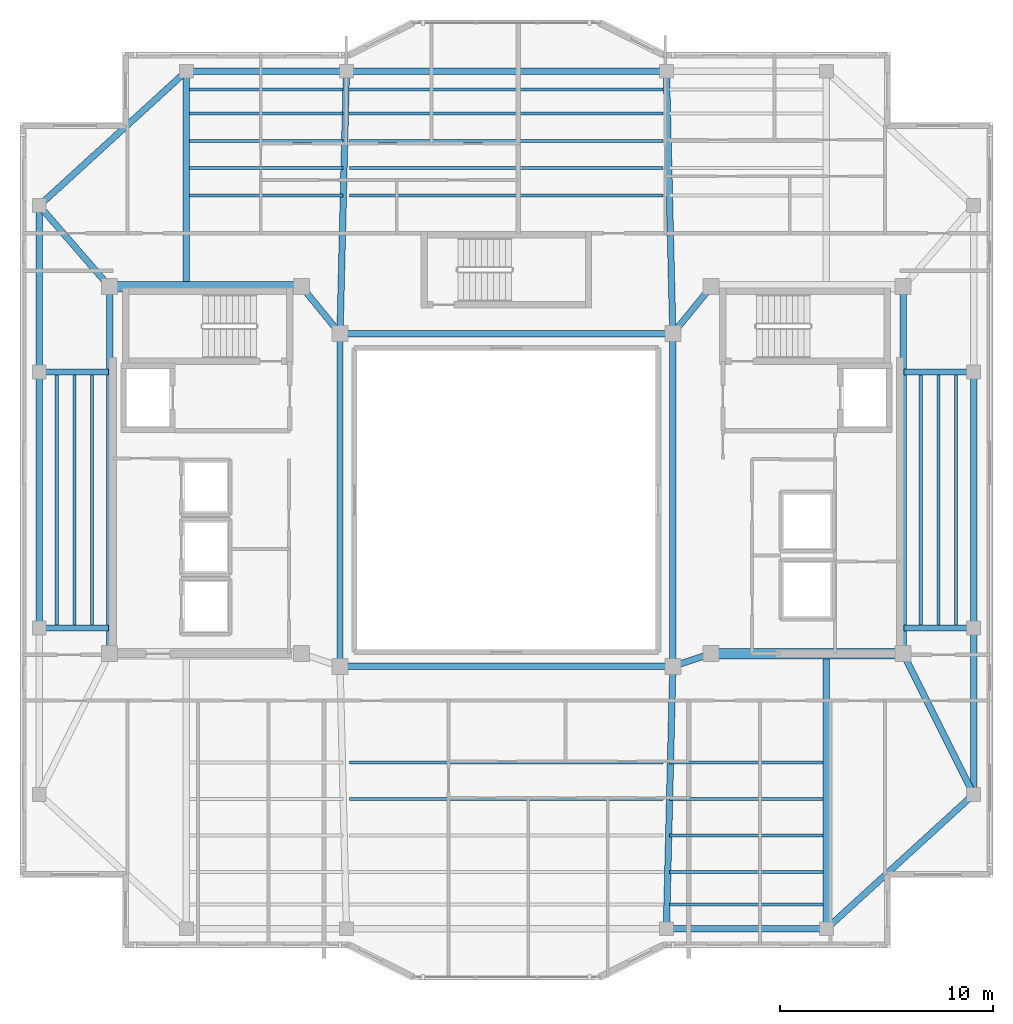
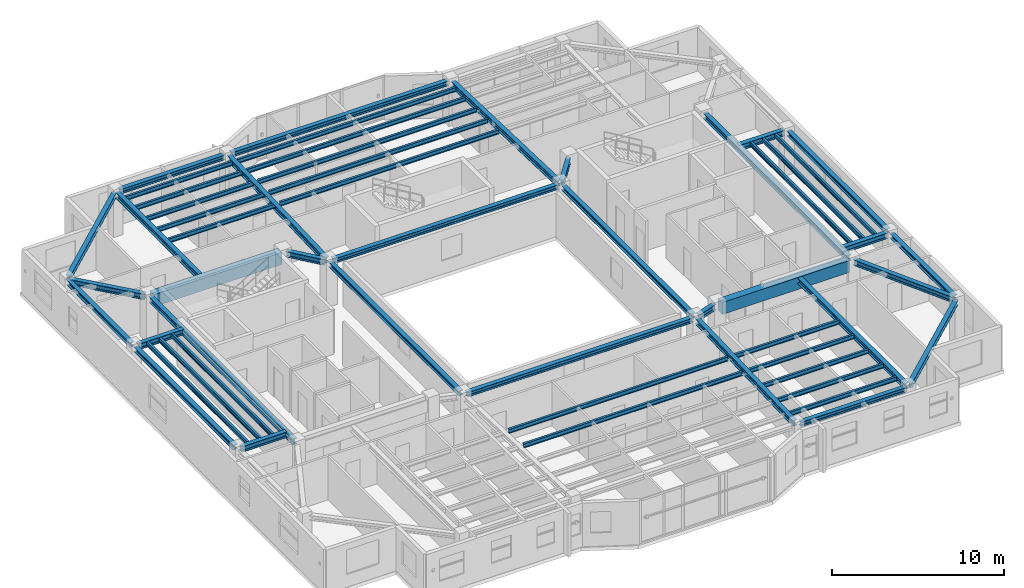
# One storey, part 3 of 13: 54 beams.
"""IFC4 building model written with IfcOpenShell, lengths in metres."""

from ifc_helpers import new_model, si_unit, direction, frame, origin, origin_2d, place, context, subcontext, project, spatial, rectangle, i_section, extrude, material, material_profile, profile_set, type_object, element, save


model = new_model("IFC4")

# Units and contexts
model_context = context("Model", 3, precision=1e-05, world=origin(), true_north=direction((0.0, 1.0)))
body_context = subcontext(model_context, "Body", "Model", "MODEL_VIEW")
ifc_project = project(units=[si_unit("LENGTHUNIT", "METRE"), si_unit("AREAUNIT", "SQUARE_METRE"), si_unit("VOLUMEUNIT", "CUBIC_METRE"), si_unit("PLANEANGLEUNIT", "RADIAN"), si_unit("MASSUNIT", "GRAM", prefix="KILO")], contexts=[model_context])

# Site, building, storey
site_placement = place(None, origin())
site = spatial("IfcSite", under=ifc_project, at=site_placement, CompositionType="ELEMENT")
building_placement = place(site_placement, origin())
building = spatial("IfcBuilding", under=site, at=building_placement, Name="Tarnavaz Court Tower", CompositionType="ELEMENT")
storey_placement = place(building_placement, frame((0.0, 0.0, 248.199951171875)))
storey = spatial("IfcBuildingStorey", under=building, at=storey_placement, Name="L67", CompositionType="ELEMENT", Elevation=248.199951171875)

# Beams
ifc_material_1 = material(Name="Concrete C50/60", Category="concrete")
ifc_material_profile_1 = material_profile(ifc_material_1, rectangle(XDim=0.5, YDim=0.85009765625, at=origin_2d()), Name="RC 500X850")
ifc_profile_set_1 = profile_set([ifc_material_profile_1], Name="Concrete C50/60")
beam_type_1 = type_object("IfcBeamType", Name="BM-CB850", PredefinedType="LINTEL", material=ifc_profile_set_1)
for number, where, z_axis, x_axis, name in (
    (1, (-18.3798828125, 10.0, 2.675048828125), (1.0, 0.0, 0.0), (0.0, 1.0, 0.0), "L67 Beam IN-CW-NO-CW-NI"),
    (2, (18.3798828125, -7.199951171875, 2.675048828125), (-1.0, 0.0, 0.0), (0.0, -1.0, 0.0), "L67 Beam IN-CE-SO-CE-SI"),
):
    element("IfcBeam", number, at=place(storey_placement, frame(where, z_axis=z_axis, x_axis=x_axis)), inside=storey, type_object=beam_type_1, Name=name, PredefinedType="LINTEL", context=body_context, shape_type="SweptSolid", body=[
        extrude(rectangle(XDim=0.5, YDim=0.85009765625, at=origin_2d()), origin(), (0.0, 0.0, 1.0), 8.559814453125),
    ])
ifc_material_2 = material(Name="Steel S355", Category="steel")
ifc_material_profile_2 = material_profile(ifc_material_2, i_section(OverallWidth=0.300048828125, OverallDepth=0.39990234375, WebThickness=0.013427734375, FlangeThickness=0.02392578125, FilletRadius=0.027099609375, at=origin_2d()), Name="HEB 400")
ifc_profile_set_2 = profile_set([ifc_material_profile_2], Name="Steel S355")
beam_type_2 = type_object("IfcBeamType", Name="BM-G-HEB400", PredefinedType="USERDEFINED", material=ifc_profile_set_2)
beam_1_placement = place(storey_placement, frame((9.391357421875, -7.26953125, 2.900146484375), z_axis=(-0.948666544706, -0.316278021615, 0.0), x_axis=(0.316278021615, -0.948666544706, 0.0)))
element("IfcBeam", 3, at=beam_1_placement, inside=storey, type_object=beam_type_2, Name="L67 Beam IN-CE-SI-IW-SE", ObjectType="GIRDER", PredefinedType="USERDEFINED", context=body_context, shape_type="SweptSolid", body=[
    extrude(i_section(OverallWidth=0.300048828125, OverallDepth=0.39990234375, WebThickness=0.013427734375, FlangeThickness=0.02392578125, FilletRadius=0.027099609375, at=origin_2d()), origin(), (0.0, 0.0, 1.0), 1.457275390625),
])
for number, where, z_axis, x_axis, name in (
    (4, (-9.460693359375, 9.82958984375, 2.900146484375), (0.633282058357, -0.773921077735, 0.0), (0.773921077735, 0.633282058357, 0.0), "L67 Beam IN-CW-NI-IW-NW"),
    (5, (9.460693359375, 9.82958984375, 2.900146484375), (-0.633282058357, -0.773921077735, 0.0), (0.773921077735, -0.633282058357, 0.0), "L67 Beam IN-CE-NI-IW-NE"),
):
    element("IfcBeam", number, at=place(storey_placement, frame(where, z_axis=z_axis, x_axis=x_axis)), inside=storey, type_object=beam_type_2, Name=name, ObjectType="GIRDER", PredefinedType="USERDEFINED", context=body_context, shape_type="SweptSolid", body=[
        extrude(i_section(OverallWidth=0.300048828125, OverallDepth=0.39990234375, WebThickness=0.013427734375, FlangeThickness=0.02392578125, FilletRadius=0.027099609375, at=origin_2d()), origin(), (0.0, 0.0, 1.0), 2.402587890625),
    ])
for number, where, z_axis, x_axis, name in (
    (6, (-18.60009765625, -6.97998046875, 2.900146484375), (0.0, 1.0, 0.0), (-1.0, 0.0, 0.0), "L67 Beam IN-CW-SO-CW-NO"),
    (7, (18.60009765625, -6.97998046875, 2.900146484375), (0.0, 1.0, 0.0), (-1.0, 0.0, 0.0), "L67 Beam IN-CE-SO-CE-NO"),
):
    element("IfcBeam", number, at=place(storey_placement, frame(where, z_axis=z_axis, x_axis=x_axis)), inside=storey, type_object=beam_type_2, Name=name, ObjectType="GIRDER", PredefinedType="USERDEFINED", context=body_context, shape_type="SweptSolid", body=[
        extrude(i_section(OverallWidth=0.300048828125, OverallDepth=0.39990234375, WebThickness=0.013427734375, FlangeThickness=0.02392578125, FilletRadius=0.027099609375, at=origin_2d()), origin(), (0.0, 0.0, 1.0), 16.760009765625),
    ])
beam_2_placement = place(storey_placement, frame((-15.0, 10.0400390625, 2.900146484375), z_axis=(0.0, 1.0, 0.0), x_axis=(-1.0, 0.0, 0.0)))
element("IfcBeam", 8, at=beam_2_placement, inside=storey, type_object=beam_type_2, Name="L67 Beam RG-01", ObjectType="GIRDER", PredefinedType="USERDEFINED", context=body_context, shape_type="SweptSolid", body=[
    extrude(i_section(OverallWidth=0.300048828125, OverallDepth=0.39990234375, WebThickness=0.013427734375, FlangeThickness=0.02392578125, FilletRadius=0.027099609375, at=origin_2d()), origin(), (0.0, 0.0, 1.0), 9.83984375),
])
for number, where, z_axis, x_axis, name in (
    (9, (-7.794677734375, 8.02001953125, 2.900146484375), (0.024386002211, 0.99970261723, 0.0), (-0.99970261723, 0.024386002211, 0.0), "L67 Beam RG-02"),
    (10, (7.794677734375, 8.02001953125, 2.900146484375), (-0.024386002211, 0.99970261723, 0.0), (-0.99970261723, -0.024386002211, 0.0), "L67 Beam RG-03"),
    (11, (7.794677734375, -8.02001953125, 2.900146484375), (-0.024386002211, -0.99970261723, 0.0), (0.99970261723, -0.024386002211, 0.0), "L67 Beam RG-07"),
):
    element("IfcBeam", number, at=place(storey_placement, frame(where, z_axis=z_axis, x_axis=x_axis)), inside=storey, type_object=beam_type_2, Name=name, ObjectType="GIRDER", PredefinedType="USERDEFINED", context=body_context, shape_type="SweptSolid", body=[
        extrude(i_section(OverallWidth=0.300048828125, OverallDepth=0.39990234375, WebThickness=0.013427734375, FlangeThickness=0.02392578125, FilletRadius=0.027099609375, at=origin_2d()), origin(), (0.0, 0.0, 1.0), 11.863525390625),
    ])
beam_3_placement = place(storey_placement, frame((15.0, -7.239990234375, 2.900146484375), z_axis=(0.0, -1.0, 0.0), x_axis=(1.0, 0.0, 0.0)))
element("IfcBeam", 12, at=beam_3_placement, inside=storey, type_object=beam_type_2, Name="L67 Beam RG-08", ObjectType="GIRDER", PredefinedType="USERDEFINED", context=body_context, shape_type="SweptSolid", body=[
    extrude(i_section(OverallWidth=0.300048828125, OverallDepth=0.39990234375, WebThickness=0.013427734375, FlangeThickness=0.02392578125, FilletRadius=0.027099609375, at=origin_2d()), origin(), (0.0, 0.0, 1.0), 12.639892578125),
])
for number, where, z_axis, x_axis, name in (
    (13, (18.639892578125, -6.0, 2.900146484375), (1.0, 0.0, 0.0), (0.0, 1.0, 0.0), "L67 Beam RG-09"),
    (14, (18.639892578125, 6.0, 2.900146484375), (1.0, 0.0, 0.0), (0.0, 1.0, 0.0), "L67 Beam RG-10"),
):
    element("IfcBeam", number, at=place(storey_placement, frame(where, z_axis=z_axis, x_axis=x_axis)), inside=storey, type_object=beam_type_2, Name=name, ObjectType="GIRDER", PredefinedType="USERDEFINED", context=body_context, shape_type="SweptSolid", body=[
        extrude(i_section(OverallWidth=0.300048828125, OverallDepth=0.39990234375, WebThickness=0.013427734375, FlangeThickness=0.02392578125, FilletRadius=0.027099609375, at=origin_2d()), origin(), (0.0, 0.0, 1.0), 3.0400390625),
    ])
beam_4_placement = place(storey_placement, frame((18.698486328125, -7.396728515625, 2.900146484375), z_axis=(0.447185448279, -0.894441264057, 0.0), x_axis=(0.894441264057, 0.447185448279, 0.0)))
element("IfcBeam", 15, at=beam_4_placement, inside=storey, type_object=beam_type_2, Name="L67 Beam RG-11", ObjectType="GIRDER", PredefinedType="USERDEFINED", context=body_context, shape_type="SweptSolid", body=[
    extrude(i_section(OverallWidth=0.300048828125, OverallDepth=0.39990234375, WebThickness=0.013427734375, FlangeThickness=0.02392578125, FilletRadius=0.027099609375, at=origin_2d()), origin(), (0.0, 0.0, 1.0), 6.93896484375),
])
for number, where, z_axis, x_axis, name in (
    (16, (-18.639892578125, -6.0, 2.900146484375), (-1.0, 0.0, 0.0), (0.0, -1.0, 0.0), "L67 Beam RG-13"),
    (17, (-18.639892578125, 6.0, 2.900146484375), (-1.0, 0.0, 0.0), (0.0, -1.0, 0.0), "L67 Beam RG-14"),
):
    element("IfcBeam", number, at=place(storey_placement, frame(where, z_axis=z_axis, x_axis=x_axis)), inside=storey, type_object=beam_type_2, Name=name, ObjectType="GIRDER", PredefinedType="USERDEFINED", context=body_context, shape_type="SweptSolid", body=[
        extrude(i_section(OverallWidth=0.300048828125, OverallDepth=0.39990234375, WebThickness=0.013427734375, FlangeThickness=0.02392578125, FilletRadius=0.027099609375, at=origin_2d()), origin(), (0.0, 0.0, 1.0), 3.0400390625),
    ])
beam_5_placement = place(storey_placement, frame((-18.744384765625, 10.166015625, 2.900146484375), z_axis=(-0.65565475567, 0.755060819648, 0.0), x_axis=(-0.755060819648, -0.65565475567, 0.0)))
element("IfcBeam", 18, at=beam_5_placement, inside=storey, type_object=beam_type_2, Name="L67 Beam RG-16", ObjectType="GIRDER", PredefinedType="USERDEFINED", context=body_context, shape_type="SweptSolid", body=[
    extrude(i_section(OverallWidth=0.300048828125, OverallDepth=0.39990234375, WebThickness=0.013427734375, FlangeThickness=0.02392578125, FilletRadius=0.027099609375, at=origin_2d()), origin(), (0.0, 0.0, 1.0), 4.5927734375),
])
ifc_material_profile_3 = material_profile(ifc_material_2, i_section(OverallWidth=0.14990234375, OverallDepth=0.300048828125, WebThickness=0.007080078125, FlangeThickness=0.0107421875, FilletRadius=0.014892578125, at=origin_2d()), Name="IPE 300")
ifc_profile_set_3 = profile_set([ifc_material_profile_3], Name="Steel S355")
beam_type_3 = type_object("IfcBeamType", Name="BM-J-IPE300", PredefinedType="JOIST", material=ifc_profile_set_3)
beam_6_placement = place(storey_placement, frame((-14.85009765625, 14.278076171875, 2.949951171875), z_axis=(1.0, 0.0, 0.0), x_axis=(0.0, 1.0, 0.0)))
element("IfcBeam", 19, at=beam_6_placement, inside=storey, type_object=beam_type_3, Name="L67 Beam JN1-1", PredefinedType="JOIST", context=body_context, shape_type="SweptSolid", body=[
    extrude(i_section(OverallWidth=0.14990234375, OverallDepth=0.300048828125, WebThickness=0.007080078125, FlangeThickness=0.0107421875, FilletRadius=0.014892578125, at=origin_2d()), origin(), (0.0, 0.0, 1.0), 7.2001953125),
])
for number, where, z_axis, x_axis, name in (
    (20, (-7.35009765625, 14.278076171875, 2.949951171875), (1.0, 0.0, 0.0), (0.0, 1.0, 0.0), "L67 Beam JN1-2"),
    (21, (-7.35009765625, -12.31005859375, 2.949951171875), (1.0, 0.0, 0.0), (0.0, 1.0, 0.0), "L67 Beam JS1-2"),
):
    element("IfcBeam", number, at=place(storey_placement, frame(where, z_axis=z_axis, x_axis=x_axis)), inside=storey, type_object=beam_type_3, Name=name, PredefinedType="JOIST", context=body_context, shape_type="SweptSolid", body=[
        extrude(i_section(OverallWidth=0.14990234375, OverallDepth=0.300048828125, WebThickness=0.007080078125, FlangeThickness=0.0107421875, FilletRadius=0.014892578125, at=origin_2d()), origin(), (0.0, 0.0, 1.0), 14.7001953125),
    ])
for number, where, z_axis, x_axis, name in (
    (22, (7.64990234375, -12.31005859375, 2.949951171875), (1.0, 0.0, 0.0), (0.0, 1.0, 0.0), "L67 Beam JS1-3"),
    (23, (-14.85009765625, 15.555908203125, 2.949951171875), (1.0, 0.0, 0.0), (0.0, 1.0, 0.0), "L67 Beam JN2-1"),
):
    element("IfcBeam", number, at=place(storey_placement, frame(where, z_axis=z_axis, x_axis=x_axis)), inside=storey, type_object=beam_type_3, Name=name, PredefinedType="JOIST", context=body_context, shape_type="SweptSolid", body=[
        extrude(i_section(OverallWidth=0.14990234375, OverallDepth=0.300048828125, WebThickness=0.007080078125, FlangeThickness=0.0107421875, FilletRadius=0.014892578125, at=origin_2d()), origin(), (0.0, 0.0, 1.0), 7.2001953125),
    ])
for number, where, z_axis, x_axis, name in (
    (24, (-7.35009765625, 15.555908203125, 2.949951171875), (1.0, 0.0, 0.0), (0.0, 1.0, 0.0), "L67 Beam JN2-2"),
    (25, (-7.35009765625, -14.02001953125, 2.949951171875), (1.0, 0.0, 0.0), (0.0, 1.0, 0.0), "L67 Beam JS2-2"),
):
    element("IfcBeam", number, at=place(storey_placement, frame(where, z_axis=z_axis, x_axis=x_axis)), inside=storey, type_object=beam_type_3, Name=name, PredefinedType="JOIST", context=body_context, shape_type="SweptSolid", body=[
        extrude(i_section(OverallWidth=0.14990234375, OverallDepth=0.300048828125, WebThickness=0.007080078125, FlangeThickness=0.0107421875, FilletRadius=0.014892578125, at=origin_2d()), origin(), (0.0, 0.0, 1.0), 14.7001953125),
    ])
for number, where, z_axis, x_axis, name in (
    (26, (7.64990234375, -14.02001953125, 2.949951171875), (1.0, 0.0, 0.0), (0.0, 1.0, 0.0), "L67 Beam JS2-3"),
    (27, (-14.85009765625, 16.833984375, 2.949951171875), (1.0, 0.0, 0.0), (0.0, 1.0, 0.0), "L67 Beam JN3-1"),
):
    element("IfcBeam", number, at=place(storey_placement, frame(where, z_axis=z_axis, x_axis=x_axis)), inside=storey, type_object=beam_type_3, Name=name, PredefinedType="JOIST", context=body_context, shape_type="SweptSolid", body=[
        extrude(i_section(OverallWidth=0.14990234375, OverallDepth=0.300048828125, WebThickness=0.007080078125, FlangeThickness=0.0107421875, FilletRadius=0.014892578125, at=origin_2d()), origin(), (0.0, 0.0, 1.0), 7.2001953125),
    ])
beam_7_placement = place(storey_placement, frame((-7.35009765625, 16.833984375, 2.949951171875), z_axis=(1.0, 0.0, 0.0), x_axis=(0.0, 1.0, 0.0)))
element("IfcBeam", 28, at=beam_7_placement, inside=storey, type_object=beam_type_3, Name="L67 Beam JN3-2", PredefinedType="JOIST", context=body_context, shape_type="SweptSolid", body=[
    extrude(i_section(OverallWidth=0.14990234375, OverallDepth=0.300048828125, WebThickness=0.007080078125, FlangeThickness=0.0107421875, FilletRadius=0.014892578125, at=origin_2d()), origin(), (0.0, 0.0, 1.0), 14.7001953125),
])
for number, where, z_axis, x_axis, name in (
    (29, (7.64990234375, -15.72998046875, 2.949951171875), (1.0, 0.0, 0.0), (0.0, 1.0, 0.0), "L67 Beam JS3-3"),
    (30, (-14.85009765625, 18.112060546875, 2.949951171875), (1.0, 0.0, 0.0), (0.0, 1.0, 0.0), "L67 Beam JN4-1"),
):
    element("IfcBeam", number, at=place(storey_placement, frame(where, z_axis=z_axis, x_axis=x_axis)), inside=storey, type_object=beam_type_3, Name=name, PredefinedType="JOIST", context=body_context, shape_type="SweptSolid", body=[
        extrude(i_section(OverallWidth=0.14990234375, OverallDepth=0.300048828125, WebThickness=0.007080078125, FlangeThickness=0.0107421875, FilletRadius=0.014892578125, at=origin_2d()), origin(), (0.0, 0.0, 1.0), 7.2001953125),
    ])
beam_8_placement = place(storey_placement, frame((-7.35009765625, 18.112060546875, 2.949951171875), z_axis=(1.0, 0.0, 0.0), x_axis=(0.0, 1.0, 0.0)))
element("IfcBeam", 31, at=beam_8_placement, inside=storey, type_object=beam_type_3, Name="L67 Beam JN4-2", PredefinedType="JOIST", context=body_context, shape_type="SweptSolid", body=[
    extrude(i_section(OverallWidth=0.14990234375, OverallDepth=0.300048828125, WebThickness=0.007080078125, FlangeThickness=0.0107421875, FilletRadius=0.014892578125, at=origin_2d()), origin(), (0.0, 0.0, 1.0), 14.7001953125),
])
for number, where, z_axis, x_axis, name in (
    (32, (7.64990234375, -17.43994140625, 2.949951171875), (1.0, 0.0, 0.0), (0.0, 1.0, 0.0), "L67 Beam JS4-3"),
    (33, (-14.85009765625, 19.248046875, 2.949951171875), (1.0, 0.0, 0.0), (0.0, 1.0, 0.0), "L67 Beam JN5-1"),
):
    element("IfcBeam", number, at=place(storey_placement, frame(where, z_axis=z_axis, x_axis=x_axis)), inside=storey, type_object=beam_type_3, Name=name, PredefinedType="JOIST", context=body_context, shape_type="SweptSolid", body=[
        extrude(i_section(OverallWidth=0.14990234375, OverallDepth=0.300048828125, WebThickness=0.007080078125, FlangeThickness=0.0107421875, FilletRadius=0.014892578125, at=origin_2d()), origin(), (0.0, 0.0, 1.0), 7.2001953125),
    ])
beam_9_placement = place(storey_placement, frame((-7.35009765625, 19.248046875, 2.949951171875), z_axis=(1.0, 0.0, 0.0), x_axis=(0.0, 1.0, 0.0)))
element("IfcBeam", 34, at=beam_9_placement, inside=storey, type_object=beam_type_3, Name="L67 Beam JN5-2", PredefinedType="JOIST", context=body_context, shape_type="SweptSolid", body=[
    extrude(i_section(OverallWidth=0.14990234375, OverallDepth=0.300048828125, WebThickness=0.007080078125, FlangeThickness=0.0107421875, FilletRadius=0.014892578125, at=origin_2d()), origin(), (0.0, 0.0, 1.0), 14.7001953125),
])
beam_10_placement = place(storey_placement, frame((7.64990234375, -18.9599609375, 2.949951171875), z_axis=(1.0, 0.0, 0.0), x_axis=(0.0, 1.0, 0.0)))
element("IfcBeam", 35, at=beam_10_placement, inside=storey, type_object=beam_type_3, Name="L67 Beam JS5-3", PredefinedType="JOIST", context=body_context, shape_type="SweptSolid", body=[
    extrude(i_section(OverallWidth=0.14990234375, OverallDepth=0.300048828125, WebThickness=0.007080078125, FlangeThickness=0.0107421875, FilletRadius=0.014892578125, at=origin_2d()), origin(), (0.0, 0.0, 1.0), 7.2001953125),
])
for number, where, z_axis, x_axis, name in (
    (36, (19.425048828125, -5.9599609375, 2.949951171875), (0.0, 1.0, 0.0), (-1.0, 0.0, 0.0), "L67 Beam JE1"),
    (37, (-19.425048828125, -5.9599609375, 2.949951171875), (0.0, 1.0, 0.0), (-1.0, 0.0, 0.0), "L67 Beam JW1"),
    (38, (20.25, -5.9599609375, 2.949951171875), (0.0, 1.0, 0.0), (-1.0, 0.0, 0.0), "L67 Beam JE2"),
    (39, (-20.25, -5.9599609375, 2.949951171875), (0.0, 1.0, 0.0), (-1.0, 0.0, 0.0), "L67 Beam JW2"),
    (40, (21.074951171875, -5.9599609375, 2.949951171875), (0.0, 1.0, 0.0), (-1.0, 0.0, 0.0), "L67 Beam JE3"),
    (41, (-21.074951171875, -5.9599609375, 2.949951171875), (0.0, 1.0, 0.0), (-1.0, 0.0, 0.0), "L67 Beam JW3"),
):
    element("IfcBeam", number, at=place(storey_placement, frame(where, z_axis=z_axis, x_axis=x_axis)), inside=storey, type_object=beam_type_3, Name=name, PredefinedType="JOIST", context=body_context, shape_type="SweptSolid", body=[
        extrude(i_section(OverallWidth=0.14990234375, OverallDepth=0.300048828125, WebThickness=0.007080078125, FlangeThickness=0.0107421875, FilletRadius=0.014892578125, at=origin_2d()), origin(), (0.0, 0.0, 1.0), 11.919921875),
    ])
ifc_material_profile_4 = material_profile(ifc_material_2, i_section(OverallWidth=0.300048828125, OverallDepth=0.330078125, WebThickness=0.009521484375, FlangeThickness=0.0166015625, FilletRadius=0.027099609375, at=origin_2d()), Name="HEA 340")
ifc_profile_set_4 = profile_set([ifc_material_profile_4], Name="Steel S355")
beam_type_4 = type_object("IfcBeamType", Name="BM-SP-HEA340", PredefinedType="BEAM", material=ifc_profile_set_4)
for number, where, z_axis, x_axis, name in (
    (42, (-7.580078125, -7.800048828125, 2.93505859375), (1.0, 0.0, 0.0), (0.0, 1.0, 0.0), "L67 Beam IN-IW-SW-IW-SE"),
    (43, (-7.580078125, 7.800048828125, 2.93505859375), (1.0, 0.0, 0.0), (0.0, 1.0, 0.0), "L67 Beam IN-IW-NW-IW-NE"),
    (44, (-7.800048828125, -7.580078125, 2.93505859375), (0.0, 1.0, 0.0), (-1.0, 0.0, 0.0), "L67 Beam IN-IW-SW-IW-NW"),
    (45, (7.800048828125, -7.580078125, 2.93505859375), (0.0, 1.0, 0.0), (-1.0, 0.0, 0.0), "L67 Beam IN-IW-SE-IW-NE"),
):
    element("IfcBeam", number, at=place(storey_placement, frame(where, z_axis=z_axis, x_axis=x_axis)), inside=storey, type_object=beam_type_4, Name=name, PredefinedType="BEAM", context=body_context, shape_type="SweptSolid", body=[
        extrude(i_section(OverallWidth=0.300048828125, OverallDepth=0.330078125, WebThickness=0.009521484375, FlangeThickness=0.0166015625, FilletRadius=0.027099609375, at=origin_2d()), origin(), (0.0, 0.0, 1.0), 15.16015625),
    ])
beam_11_placement = place(storey_placement, frame((-14.780029296875, 20.10009765625, 2.93505859375), z_axis=(1.0, 0.0, 0.0), x_axis=(0.0, 1.0, 0.0)))
element("IfcBeam", 46, at=beam_11_placement, inside=storey, type_object=beam_type_4, Name="L67 Beam PR-PN-1-PN-2", PredefinedType="BEAM", context=body_context, shape_type="SweptSolid", body=[
    extrude(i_section(OverallWidth=0.300048828125, OverallDepth=0.330078125, WebThickness=0.009521484375, FlangeThickness=0.0166015625, FilletRadius=0.027099609375, at=origin_2d()), origin(), (0.0, 0.0, 1.0), 7.06005859375),
])
beam_12_placement = place(storey_placement, frame((-7.280029296875, 20.10009765625, 2.93505859375), z_axis=(1.0, 0.0, 0.0), x_axis=(0.0, 1.0, 0.0)))
element("IfcBeam", 47, at=beam_12_placement, inside=storey, type_object=beam_type_4, Name="L67 Beam PR-PN-2-PN-3", PredefinedType="BEAM", context=body_context, shape_type="SweptSolid", body=[
    extrude(i_section(OverallWidth=0.300048828125, OverallDepth=0.330078125, WebThickness=0.009521484375, FlangeThickness=0.0166015625, FilletRadius=0.027099609375, at=origin_2d()), origin(), (0.0, 0.0, 1.0), 14.56005859375),
])
beam_13_placement = place(storey_placement, frame((7.719970703125, -20.10009765625, 2.93505859375), z_axis=(1.0, 0.0, 0.0), x_axis=(0.0, 1.0, 0.0)))
element("IfcBeam", 48, at=beam_13_placement, inside=storey, type_object=beam_type_4, Name="L67 Beam PR-PS-3-PS-4", PredefinedType="BEAM", context=body_context, shape_type="SweptSolid", body=[
    extrude(i_section(OverallWidth=0.300048828125, OverallDepth=0.330078125, WebThickness=0.009521484375, FlangeThickness=0.0166015625, FilletRadius=0.027099609375, at=origin_2d()), origin(), (0.0, 0.0, 1.0), 7.06005859375),
])
beam_14_placement = place(storey_placement, frame((21.89990234375, -13.580078125, 2.93505859375), z_axis=(0.0, 1.0, 0.0), x_axis=(-1.0, 0.0, 0.0)))
element("IfcBeam", 49, at=beam_14_placement, inside=storey, type_object=beam_type_4, Name="L67 Beam PR-PE-1-PE-2", PredefinedType="BEAM", context=body_context, shape_type="SweptSolid", body=[
    extrude(i_section(OverallWidth=0.300048828125, OverallDepth=0.330078125, WebThickness=0.009521484375, FlangeThickness=0.0166015625, FilletRadius=0.027099609375, at=origin_2d()), origin(), (0.0, 0.0, 1.0), 7.360107421875),
])
for number, where, z_axis, x_axis, name in (
    (50, (21.89990234375, -5.780029296875, 2.93505859375), (0.0, 1.0, 0.0), (-1.0, 0.0, 0.0), "L67 Beam PR-PE-2-PE-3"),
    (51, (-21.89990234375, -5.780029296875, 2.93505859375), (0.0, 1.0, 0.0), (-1.0, 0.0, 0.0), "L67 Beam PR-PW-2-PW-3"),
):
    element("IfcBeam", number, at=place(storey_placement, frame(where, z_axis=z_axis, x_axis=x_axis)), inside=storey, type_object=beam_type_4, Name=name, PredefinedType="BEAM", context=body_context, shape_type="SweptSolid", body=[
        extrude(i_section(OverallWidth=0.300048828125, OverallDepth=0.330078125, WebThickness=0.009521484375, FlangeThickness=0.0166015625, FilletRadius=0.027099609375, at=origin_2d()), origin(), (0.0, 0.0, 1.0), 11.56005859375),
    ])
beam_15_placement = place(storey_placement, frame((-21.89990234375, 6.219970703125, 2.93505859375), z_axis=(0.0, 1.0, 0.0), x_axis=(-1.0, 0.0, 0.0)))
element("IfcBeam", 52, at=beam_15_placement, inside=storey, type_object=beam_type_4, Name="L67 Beam PR-PW-3-PW-4", PredefinedType="BEAM", context=body_context, shape_type="SweptSolid", body=[
    extrude(i_section(OverallWidth=0.300048828125, OverallDepth=0.330078125, WebThickness=0.009521484375, FlangeThickness=0.0166015625, FilletRadius=0.027099609375, at=origin_2d()), origin(), (0.0, 0.0, 1.0), 7.360107421875),
])
for number, where, z_axis, x_axis, name in (
    (53, (21.737548828125, -13.9482421875, 2.93505859375), (-0.738474214476, -0.674281717499, 0.0), (0.674281717499, -0.738474214476, 0.0), "L67 Beam PR-PE-1-PS-4"),
    (54, (-21.737548828125, 13.9482421875, 2.93505859375), (0.738474214476, 0.674281717499, 0.0), (-0.674281717499, 0.738474214476, 0.0), "L67 Beam PR-PW-4-PN-1"),
):
    element("IfcBeam", number, at=place(storey_placement, frame(where, z_axis=z_axis, x_axis=x_axis)), inside=storey, type_object=beam_type_4, Name=name, PredefinedType="BEAM", context=body_context, shape_type="SweptSolid", body=[
        extrude(i_section(OverallWidth=0.300048828125, OverallDepth=0.330078125, WebThickness=0.009521484375, FlangeThickness=0.0166015625, FilletRadius=0.027099609375, at=origin_2d()), origin(), (0.0, 0.0, 1.0), 8.9033203125),
    ])

save(model, "model.ifc")
